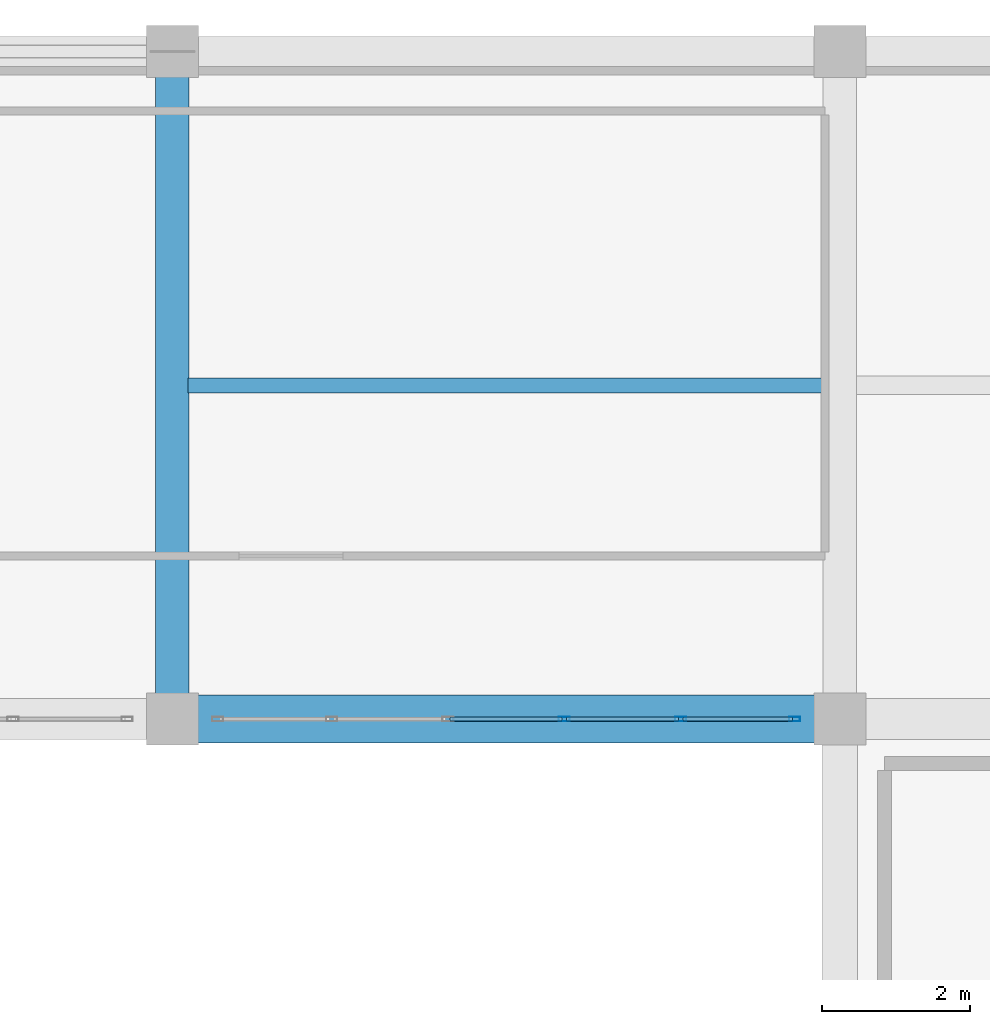
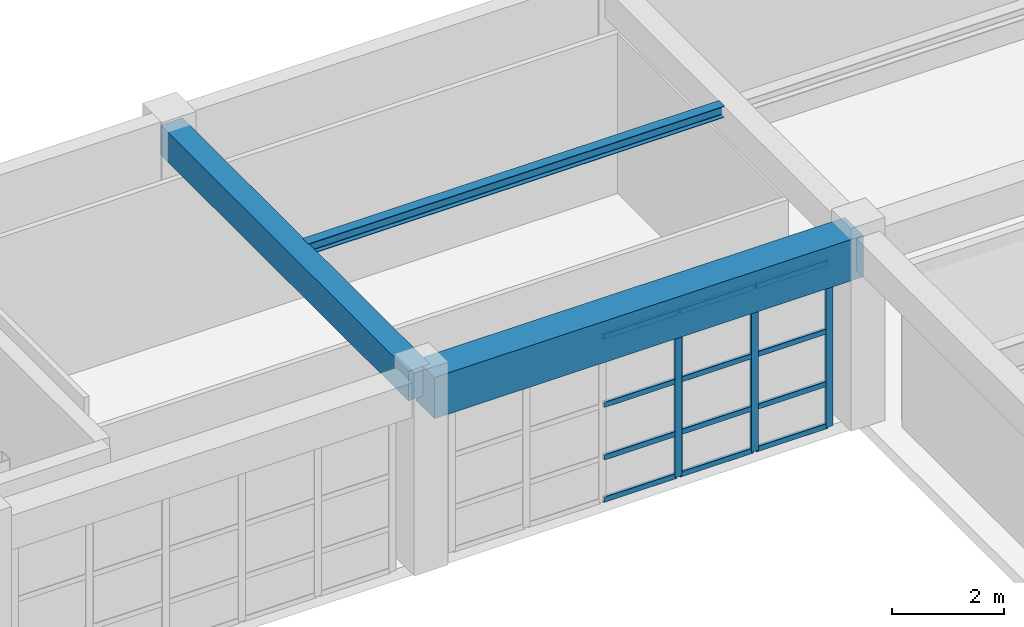
# One storey, part 87 of 133: 15 members, 3 beams, 1 element without a shape of its own.
"""IFC4 building model written with IfcOpenShell, lengths in metres."""

from ifc_helpers import new_model, si_unit, direction, frame, origin, origin_2d, place, context, subcontext, project, spatial, rectangle, hollow_rectangle, i_section, extrude, material, material_profile, profile_set, type_object, element, aggregate, save


model = new_model("IFC4")

# Units and contexts
model_context = context("Model", 3, precision=1e-05, world=origin(), true_north=direction((0.0, 1.0)))
body_context = subcontext(model_context, "Body", "Model", "MODEL_VIEW")
ifc_project = project(units=[si_unit("LENGTHUNIT", "METRE"), si_unit("AREAUNIT", "SQUARE_METRE"), si_unit("VOLUMEUNIT", "CUBIC_METRE"), si_unit("PLANEANGLEUNIT", "RADIAN"), si_unit("MASSUNIT", "GRAM", prefix="KILO")], contexts=[model_context])

# Site, building, storey
site_placement = place(None, origin())
site = spatial("IfcSite", under=ifc_project, at=site_placement, CompositionType="ELEMENT")
building_placement = place(site_placement, origin())
building = spatial("IfcBuilding", under=site, at=building_placement, Name="Miravela Opera House", CompositionType="ELEMENT")
storey_placement = place(building_placement, frame((0.0, 0.0, 5.10009765625)))
storey = spatial("IfcBuildingStorey", under=building, at=storey_placement, Name="L01", CompositionType="ELEMENT", Elevation=5.10009765625)

# Curtain wall, members
ifc_material_1 = material(Name="Anodised architectural bronze aluminium 6063-T6", Category="aluminium")
curtain_wall_type = type_object("IfcCurtainWallType", Name="ARC-CW-05", PredefinedType="NOTDEFINED", material=ifc_material_1)
curtain_wall_placement = place(storey_placement, origin())
curtain_wall = element("IfcCurtainWall", 1, at=curtain_wall_placement, inside=storey, type_object=curtain_wall_type, Name="Courtyard Arcade Curtain Wall CW-L01-177", PredefinedType="NOTDEFINED")
ifc_material_profile_1 = material_profile(ifc_material_1, hollow_rectangle(XDim=0.06005859375, YDim=0.14990234375, WallThickness=0.00390625, InnerFilletRadius=0.001953125, OuterFilletRadius=0.00390625, at=origin_2d()), Name="CWM-60X150")
ifc_profile_set_1 = profile_set([ifc_material_profile_1])
member_type_1 = type_object("IfcMemberType", Name="ARC-CWM-150", PredefinedType="MULLION", material=ifc_profile_set_1)
member_1_placement = place(storey_placement, frame((140.283935546875, 103.0, 0.0), z_axis=(0.0, 0.0, 1.0), x_axis=(0.0, 1.0, 0.0)))
member_1 = element("IfcMember", 2, at=member_1_placement, type_object=member_type_1, Name="CW-05 mullion 4", PredefinedType="MULLION", context=body_context, shape_type="SweptSolid", body=[
    extrude(hollow_rectangle(XDim=0.06005859375, YDim=0.14990234375, WallThickness=0.00390625, InnerFilletRadius=0.001953125, OuterFilletRadius=0.00390625, at=origin_2d()), origin(), (0.0, 0.0, 1.0), 3.60986328125),
])
member_2_placement = place(storey_placement, frame((141.85205078125, 103.0, 0.0), z_axis=(0.0, 0.0, 1.0), x_axis=(0.0, 1.0, 0.0)))
member_2 = element("IfcMember", 3, at=member_2_placement, type_object=member_type_1, Name="CW-05 mullion 5", PredefinedType="MULLION", context=body_context, shape_type="SweptSolid", body=[
    extrude(hollow_rectangle(XDim=0.06005859375, YDim=0.14990234375, WallThickness=0.00390625, InnerFilletRadius=0.001953125, OuterFilletRadius=0.00390625, at=origin_2d()), origin(), (0.0, 0.0, 1.0), 3.60986328125),
])
member_3_placement = place(storey_placement, frame((143.389892578125, 103.0, 0.0), z_axis=(0.0, 0.0, 1.0), x_axis=(0.0, 1.0, 0.0)))
member_3 = element("IfcMember", 4, at=member_3_placement, type_object=member_type_1, Name="CW-05 mullion 6", PredefinedType="MULLION", context=body_context, shape_type="SweptSolid", body=[
    extrude(hollow_rectangle(XDim=0.06005859375, YDim=0.14990234375, WallThickness=0.00390625, InnerFilletRadius=0.001953125, OuterFilletRadius=0.00390625, at=origin_2d()), origin(), (0.0, 0.0, 1.0), 3.60986328125),
])
ifc_material_profile_2 = material_profile(ifc_material_1, hollow_rectangle(XDim=0.06005859375, YDim=0.114990234375, WallThickness=0.00390625, InnerFilletRadius=0.001953125, OuterFilletRadius=0.00390625, at=origin_2d()), Name="CWT-60X115")
ifc_profile_set_2 = profile_set([ifc_material_profile_2])
member_type_2 = type_object("IfcMemberType", Name="ARC-CWT-115", PredefinedType="USERDEFINED", material=ifc_profile_set_2)
member_4_placement = place(storey_placement, frame((138.74609375, 103.0, 0.02978515625), z_axis=(1.0, 0.0, 0.0), x_axis=(0.0, 1.0, 0.0)))
member_4 = element("IfcMember", 5, at=member_4_placement, type_object=member_type_2, Name="CW-05 transom 3.1", ObjectType="TRANSOM", PredefinedType="USERDEFINED", context=body_context, shape_type="SweptSolid", body=[
    extrude(hollow_rectangle(XDim=0.06005859375, YDim=0.114990234375, WallThickness=0.00390625, InnerFilletRadius=0.001953125, OuterFilletRadius=0.00390625, at=origin_2d()), origin(), (0.0, 0.0, 1.0), 1.5078125),
])
member_5_placement = place(storey_placement, frame((138.74609375, 103.0, 0.949951171875), z_axis=(1.0, 0.0, 0.0), x_axis=(0.0, 1.0, 0.0)))
member_5 = element("IfcMember", 6, at=member_5_placement, type_object=member_type_2, Name="CW-05 transom 3.2", ObjectType="TRANSOM", PredefinedType="USERDEFINED", context=body_context, shape_type="SweptSolid", body=[
    extrude(hollow_rectangle(XDim=0.06005859375, YDim=0.114990234375, WallThickness=0.00390625, InnerFilletRadius=0.001953125, OuterFilletRadius=0.00390625, at=origin_2d()), origin(), (0.0, 0.0, 1.0), 1.5078125),
])
member_6_placement = place(storey_placement, frame((138.74609375, 103.0, 2.09375), z_axis=(1.0, 0.0, 0.0), x_axis=(0.0, 1.0, 0.0)))
member_6 = element("IfcMember", 7, at=member_6_placement, type_object=member_type_2, Name="CW-05 transom 3.3", ObjectType="TRANSOM", PredefinedType="USERDEFINED", context=body_context, shape_type="SweptSolid", body=[
    extrude(hollow_rectangle(XDim=0.06005859375, YDim=0.114990234375, WallThickness=0.00390625, InnerFilletRadius=0.001953125, OuterFilletRadius=0.00390625, at=origin_2d()), origin(), (0.0, 0.0, 1.0), 1.5078125),
])
member_7_placement = place(storey_placement, frame((138.74609375, 103.0, 3.579833984375), z_axis=(1.0, 0.0, 0.0), x_axis=(0.0, 1.0, 0.0)))
member_7 = element("IfcMember", 8, at=member_7_placement, type_object=member_type_2, Name="CW-05 transom 3.4", ObjectType="TRANSOM", PredefinedType="USERDEFINED", context=body_context, shape_type="SweptSolid", body=[
    extrude(hollow_rectangle(XDim=0.06005859375, YDim=0.114990234375, WallThickness=0.00390625, InnerFilletRadius=0.001953125, OuterFilletRadius=0.00390625, at=origin_2d()), origin(), (0.0, 0.0, 1.0), 1.5078125),
])
member_8_placement = place(storey_placement, frame((140.31396484375, 103.0, 0.02978515625), z_axis=(1.0, 0.0, 0.0), x_axis=(0.0, 1.0, 0.0)))
member_8 = element("IfcMember", 9, at=member_8_placement, type_object=member_type_2, Name="CW-05 transom 4.1", ObjectType="TRANSOM", PredefinedType="USERDEFINED", context=body_context, shape_type="SweptSolid", body=[
    extrude(hollow_rectangle(XDim=0.06005859375, YDim=0.114990234375, WallThickness=0.00390625, InnerFilletRadius=0.001953125, OuterFilletRadius=0.00390625, at=origin_2d()), origin(), (0.0, 0.0, 1.0), 1.508056640625),
])
member_9_placement = place(storey_placement, frame((140.31396484375, 103.0, 0.949951171875), z_axis=(1.0, 0.0, 0.0), x_axis=(0.0, 1.0, 0.0)))
member_9 = element("IfcMember", 10, at=member_9_placement, type_object=member_type_2, Name="CW-05 transom 4.2", ObjectType="TRANSOM", PredefinedType="USERDEFINED", context=body_context, shape_type="SweptSolid", body=[
    extrude(hollow_rectangle(XDim=0.06005859375, YDim=0.114990234375, WallThickness=0.00390625, InnerFilletRadius=0.001953125, OuterFilletRadius=0.00390625, at=origin_2d()), origin(), (0.0, 0.0, 1.0), 1.508056640625),
])
member_10_placement = place(storey_placement, frame((140.31396484375, 103.0, 2.09375), z_axis=(1.0, 0.0, 0.0), x_axis=(0.0, 1.0, 0.0)))
member_10 = element("IfcMember", 11, at=member_10_placement, type_object=member_type_2, Name="CW-05 transom 4.3", ObjectType="TRANSOM", PredefinedType="USERDEFINED", context=body_context, shape_type="SweptSolid", body=[
    extrude(hollow_rectangle(XDim=0.06005859375, YDim=0.114990234375, WallThickness=0.00390625, InnerFilletRadius=0.001953125, OuterFilletRadius=0.00390625, at=origin_2d()), origin(), (0.0, 0.0, 1.0), 1.508056640625),
])
member_11_placement = place(storey_placement, frame((140.31396484375, 103.0, 3.579833984375), z_axis=(1.0, 0.0, 0.0), x_axis=(0.0, 1.0, 0.0)))
member_11 = element("IfcMember", 12, at=member_11_placement, type_object=member_type_2, Name="CW-05 transom 4.4", ObjectType="TRANSOM", PredefinedType="USERDEFINED", context=body_context, shape_type="SweptSolid", body=[
    extrude(hollow_rectangle(XDim=0.06005859375, YDim=0.114990234375, WallThickness=0.00390625, InnerFilletRadius=0.001953125, OuterFilletRadius=0.00390625, at=origin_2d()), origin(), (0.0, 0.0, 1.0), 1.508056640625),
])
member_12_placement = place(storey_placement, frame((141.882080078125, 103.0, 0.02978515625), z_axis=(1.0, 0.0, 0.0), x_axis=(0.0, 1.0, 0.0)))
member_12 = element("IfcMember", 13, at=member_12_placement, type_object=member_type_2, Name="CW-05 transom 5.1", ObjectType="TRANSOM", PredefinedType="USERDEFINED", context=body_context, shape_type="SweptSolid", body=[
    extrude(hollow_rectangle(XDim=0.06005859375, YDim=0.114990234375, WallThickness=0.00390625, InnerFilletRadius=0.001953125, OuterFilletRadius=0.00390625, at=origin_2d()), origin(), (0.0, 0.0, 1.0), 1.47802734375),
])
member_13_placement = place(storey_placement, frame((141.882080078125, 103.0, 0.949951171875), z_axis=(1.0, 0.0, 0.0), x_axis=(0.0, 1.0, 0.0)))
member_13 = element("IfcMember", 14, at=member_13_placement, type_object=member_type_2, Name="CW-05 transom 5.2", ObjectType="TRANSOM", PredefinedType="USERDEFINED", context=body_context, shape_type="SweptSolid", body=[
    extrude(hollow_rectangle(XDim=0.06005859375, YDim=0.114990234375, WallThickness=0.00390625, InnerFilletRadius=0.001953125, OuterFilletRadius=0.00390625, at=origin_2d()), origin(), (0.0, 0.0, 1.0), 1.47802734375),
])
member_14_placement = place(storey_placement, frame((141.882080078125, 103.0, 2.09375), z_axis=(1.0, 0.0, 0.0), x_axis=(0.0, 1.0, 0.0)))
member_14 = element("IfcMember", 15, at=member_14_placement, type_object=member_type_2, Name="CW-05 transom 5.3", ObjectType="TRANSOM", PredefinedType="USERDEFINED", context=body_context, shape_type="SweptSolid", body=[
    extrude(hollow_rectangle(XDim=0.06005859375, YDim=0.114990234375, WallThickness=0.00390625, InnerFilletRadius=0.001953125, OuterFilletRadius=0.00390625, at=origin_2d()), origin(), (0.0, 0.0, 1.0), 1.47802734375),
])
member_15_placement = place(storey_placement, frame((141.882080078125, 103.0, 3.579833984375), z_axis=(1.0, 0.0, 0.0), x_axis=(0.0, 1.0, 0.0)))
member_15 = element("IfcMember", 16, at=member_15_placement, type_object=member_type_2, Name="CW-05 transom 5.4", ObjectType="TRANSOM", PredefinedType="USERDEFINED", context=body_context, shape_type="SweptSolid", body=[
    extrude(hollow_rectangle(XDim=0.06005859375, YDim=0.114990234375, WallThickness=0.00390625, InnerFilletRadius=0.001953125, OuterFilletRadius=0.00390625, at=origin_2d()), origin(), (0.0, 0.0, 1.0), 1.47802734375),
])
aggregate(curtain_wall, [member_1, member_2, member_3, member_4, member_5, member_6, member_7, member_8, member_9, member_10, member_11, member_12, member_13, member_14, member_15])

# Beams
ifc_material_2 = material(Name="Concrete C35/45", Category="concrete")
ifc_material_profile_3 = material_profile(ifc_material_2, rectangle(XDim=0.449951171875, YDim=0.64990234375, at=origin_2d()), Name="RC-BM-450X650")
ifc_profile_set_3 = profile_set([ifc_material_profile_3])
beam_type_1 = type_object("IfcBeamType", Name="STR-BM-RC450X650", PredefinedType="BEAM", material=ifc_profile_set_3)
beam_1_placement = place(storey_placement, frame((135.0, 103.080078125, 3.8349609375), z_axis=(0.0, 1.0, 0.0), x_axis=(-1.0, 0.0, 0.0)))
element("IfcBeam", 17, at=beam_1_placement, inside=storey, type_object=beam_type_1, Name="Floor Girder L01 16/L-M", PredefinedType="BEAM", context=body_context, shape_type="SweptSolid", body=[
    extrude(rectangle(XDim=0.449951171875, YDim=0.64990234375, at=origin_2d()), origin(), (0.0, 0.0, 1.0), 8.83984375),
])
ifc_material_3 = material(Name="Concrete C40/50", Category="concrete")
ifc_material_profile_4 = material_profile(ifc_material_3, rectangle(XDim=0.64990234375, YDim=0.89990234375, at=origin_2d()), Name="RC-BM-650X900")
ifc_profile_set_4 = profile_set([ifc_material_profile_4])
beam_type_2 = type_object("IfcBeamType", Name="STR-BM-RC650X900", PredefinedType="BEAM", material=ifc_profile_set_4)
beam_2_placement = place(storey_placement, frame((135.080078125, 103.0, 3.7099609375), z_axis=(1.0, 0.0, 0.0), x_axis=(0.0, 1.0, 0.0)))
element("IfcBeam", 18, at=beam_2_placement, inside=storey, type_object=beam_type_2, Name="Floor Girder L01 16-17/L", PredefinedType="BEAM", context=body_context, shape_type="SweptSolid", body=[
    extrude(rectangle(XDim=0.64990234375, YDim=0.89990234375, at=origin_2d()), origin(), (0.0, 0.0, 1.0), 8.83984375),
])
ifc_material_4 = material(Name="Structural steel ASTM A992 Gr. 50", Category="steel")
ifc_material_profile_5 = material_profile(ifc_material_4, i_section(OverallWidth=0.201904296875, OverallDepth=0.2470703125, WebThickness=0.00732421875, FlangeThickness=0.010986328125, FilletRadius=0.011962890625, at=origin_2d()), Name="W250X49")
ifc_profile_set_5 = profile_set([ifc_material_profile_5])
beam_type_3 = type_object("IfcBeamType", Name="STR-BM-W250X49", PredefinedType="LINTEL", material=ifc_profile_set_5)
beam_3_placement = place(storey_placement, frame((135.2099609375, 107.5, 4.036376953125), z_axis=(1.0, 0.0, 0.0), x_axis=(0.0, 1.0, 0.0)))
element("IfcBeam", 19, at=beam_3_placement, inside=storey, type_object=beam_type_3, Name="Secondary Floor Joist L01 16-17/L-M", PredefinedType="LINTEL", context=body_context, shape_type="SweptSolid", body=[
    extrude(i_section(OverallWidth=0.201904296875, OverallDepth=0.2470703125, WebThickness=0.00732421875, FlangeThickness=0.010986328125, FilletRadius=0.011962890625, at=origin_2d()), origin(), (0.0, 0.0, 1.0), 8.580078125),
])

save(model, "model.ifc")
